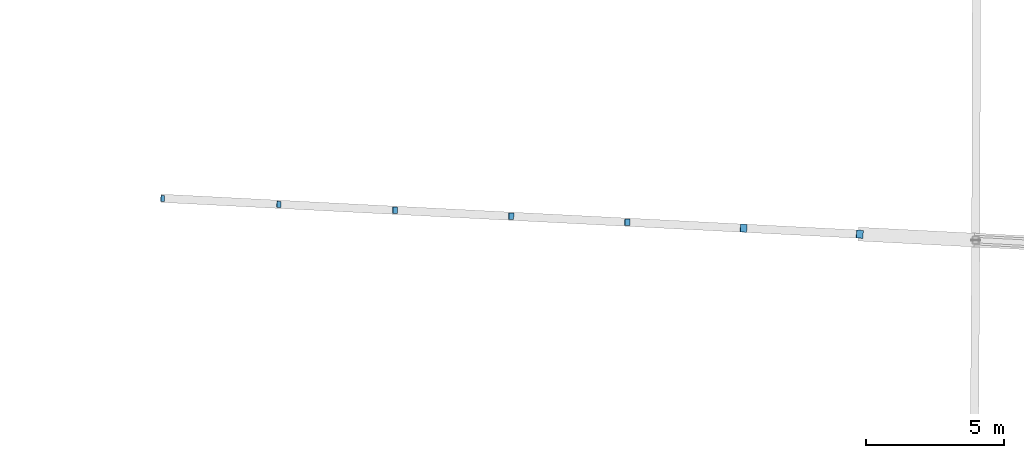
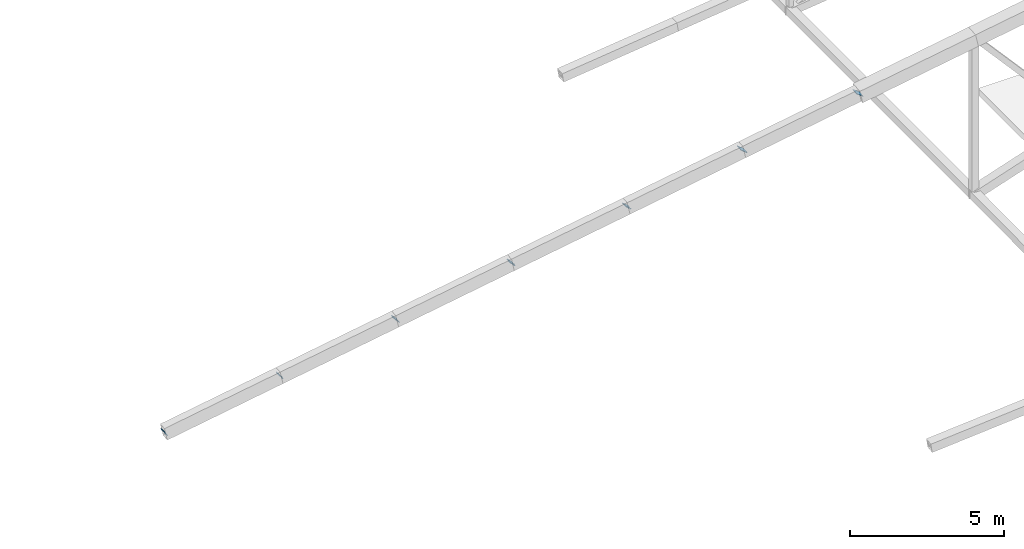
# One storey, part 150 of 188: 7 discrete accessories.
"""IFC4 building model written with IfcOpenShell, lengths in metres."""

from ifc_helpers import new_model, si_unit, direction, frame, origin, origin_2d, place, context, subcontext, project, spatial, rectangle, extrude, material, material_profile, profile_set, type_object, element, save


model = new_model("IFC4")

# Units and contexts
model_context = context("Model", 3, precision=1e-05, world=origin(), true_north=direction((0.0, 1.0)))
body_context = subcontext(model_context, "Body", "Model", "MODEL_VIEW")
ifc_project = project(units=[si_unit("LENGTHUNIT", "METRE"), si_unit("AREAUNIT", "SQUARE_METRE"), si_unit("VOLUMEUNIT", "CUBIC_METRE"), si_unit("PLANEANGLEUNIT", "RADIAN"), si_unit("MASSUNIT", "GRAM", prefix="KILO")], contexts=[model_context])

# Site, building, storey
site_placement = place(None, origin())
site = spatial("IfcSite", under=ifc_project, at=site_placement, CompositionType="ELEMENT")
building_placement = place(site_placement, origin())
building = spatial("IfcBuilding", under=site, at=building_placement, Name="Meseta Stadium", CompositionType="ELEMENT")
storey_placement = place(building_placement, frame((0.0, 0.0, 30.0)))
storey = spatial("IfcBuildingStorey", under=building, at=storey_placement, Name="ROOF", CompositionType="ELEMENT", Elevation=30.0)

# Discrete accessories
ifc_material_1 = material(Name="Steel S355", Category="steel")
ifc_material_profile_1 = material_profile(ifc_material_1, rectangle(XDim=0.219970703125, YDim=0.219970703125, at=origin_2d()), Name="PL 220x220")
ifc_profile_set_1 = profile_set([ifc_material_profile_1], Name="Steel S355")
discrete_accessory_type_1 = type_object("IfcDiscreteAccessoryType", Name="End plate 220x220x20", PredefinedType="ANCHORPLATE", material=ifc_profile_set_1)
for number, where, z_axis, x_axis, name in (
    (1, (55.42431640625, -28.886962890625, 0.728759765625), (0.827730958128, -0.03651754227, 0.559935648145), (0.044074775071, 0.999028234938, 0.0), "End plate of ROOF TRUSS RT-02 diagonal"),
    (2, (59.640869140625, -29.103759765625, 1.625), (0.781534581333, -0.0366344335, 0.6227853695), (0.046823586299, 0.99890317437, 0.0), "End plate of ROOF TRUSS RT-02 diagonal"),
):
    element("IfcDiscreteAccessory", number, at=place(storey_placement, frame(where, z_axis=z_axis, x_axis=x_axis)), inside=storey, type_object=discrete_accessory_type_1, Name=name, PredefinedType="ANCHORPLATE", context=body_context, shape_type="SweptSolid", body=[
        extrude(rectangle(XDim=0.219970703125, YDim=0.219970703125, at=origin_2d()), origin(), (0.0, 0.0, 1.0), 0.02001953125),
    ])
ifc_material_2 = material(Name="Steel S355", Category="steel")
ifc_material_profile_2 = material_profile(ifc_material_2, rectangle(XDim=0.239990234375, YDim=0.239990234375, at=origin_2d()), Name="PL 240x240")
ifc_profile_set_2 = profile_set([ifc_material_profile_2], Name="Steel S355")
discrete_accessory_type_2 = type_object("IfcDiscreteAccessoryType", Name="End plate 240x240x20", PredefinedType="ANCHORPLATE", material=ifc_profile_set_2)
for number, where, z_axis, x_axis, name in (
    (3, (63.857421875, -29.3203125, 2.521240234375), (0.730567373975, -0.036528368699, 0.681862882377), (0.049937616944, 0.998752338878, 0.0), "End plate of ROOF TRUSS RT-02 diagonal"),
    (4, (68.07421875, -29.537109375, 3.41748046875), (0.681862882377, -0.036528368699, 0.730567373975), (0.053494721372, 0.99856813227, 0.0), "End plate of ROOF TRUSS RT-02 diagonal"),
    (5, (72.290771484375, -29.75390625, 4.313720703125), (0.643571756924, -0.024285726676, 0.765000390306), (0.0377090099, 0.999288762357, 0.0), "End plate of ROOF TRUSS RT-02 diagonal"),
):
    element("IfcDiscreteAccessory", number, at=place(storey_placement, frame(where, z_axis=z_axis, x_axis=x_axis)), inside=storey, type_object=discrete_accessory_type_2, Name=name, PredefinedType="ANCHORPLATE", context=body_context, shape_type="SweptSolid", body=[
        extrude(rectangle(XDim=0.239990234375, YDim=0.239990234375, at=origin_2d()), origin(), (0.0, 0.0, 1.0), 0.02001953125),
    ])
ifc_material_3 = material(Name="Steel S355", Category="steel")
ifc_material_profile_3 = material_profile(ifc_material_3, rectangle(XDim=0.2900390625, YDim=0.2900390625, at=origin_2d()), Name="PL 290x290")
ifc_profile_set_3 = profile_set([ifc_material_profile_3], Name="Steel S355")
discrete_accessory_type_3 = type_object("IfcDiscreteAccessoryType", Name="End plate 290x290x20", PredefinedType="ANCHORPLATE", material=ifc_profile_set_3)
discrete_accessory_1_placement = place(storey_placement, frame((76.50732421875, -29.970458984375, 5.2099609375), z_axis=(0.609303184999, -0.0365581911, 0.792094140499), x_axis=(0.059892290728, 0.998204845466, 0.0)))
element("IfcDiscreteAccessory", 6, at=discrete_accessory_1_placement, inside=storey, type_object=discrete_accessory_type_3, Name="End plate of ROOF TRUSS RT-02 diagonal", PredefinedType="ANCHORPLATE", context=body_context, shape_type="SweptSolid", body=[
    extrude(rectangle(XDim=0.2900390625, YDim=0.2900390625, at=origin_2d()), origin(), (0.0, 0.0, 1.0), 0.02001953125),
])
discrete_accessory_2_placement = place(storey_placement, frame((80.72412109375, -30.187255859375, 6.106201171875), z_axis=(0.565621274945, -0.036888344018, 0.823839683072), x_axis=(0.065079137346, 0.997880105966, 0.0)))
element("IfcDiscreteAccessory", 7, at=discrete_accessory_2_placement, inside=storey, type_object=discrete_accessory_type_3, Name="End plate of ROOF TRUSS RT-02 diagonal", PredefinedType="ANCHORPLATE", context=body_context, shape_type="SweptSolid", body=[
    extrude(rectangle(XDim=0.2900390625, YDim=0.2900390625, at=origin_2d()), origin(), (0.0, 0.0, 1.0), 0.019775390625),
])

save(model, "model.ifc")
